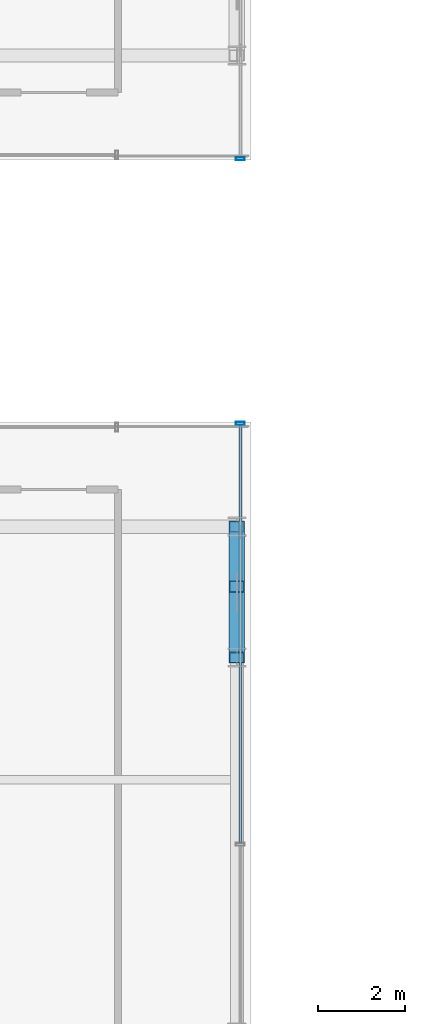
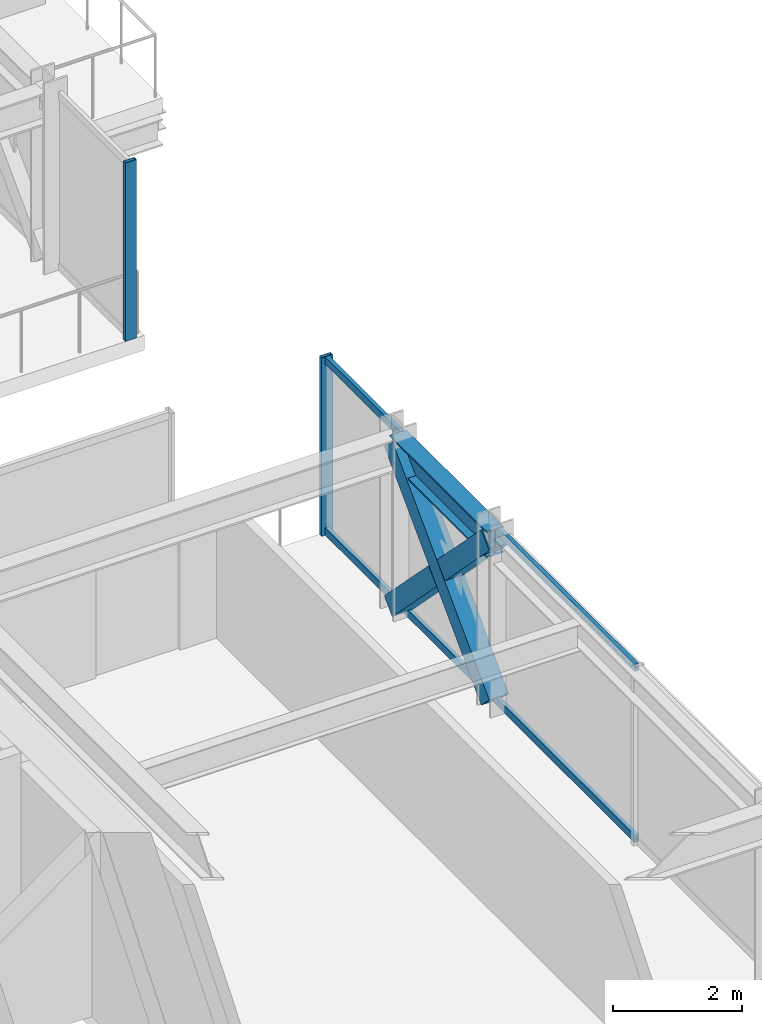
# One storey, part 17 of 35: 7 members, 1 beam, 2 elements without a shape of their own.
"""IFC4 building model written with IfcOpenShell, lengths in metres."""

from ifc_helpers import new_model, si_unit, direction, frame, origin, origin_2d, place, context, subcontext, project, spatial, hollow_rectangle, i_section, extrude, source, transform, mapped, material, material_profile, profile_set, type_object, element, aggregate, save


model = new_model("IFC4")

# Units and contexts
model_context = context("Model", 3, precision=1e-05, world=origin(), true_north=direction((0.0, 1.0)))
body_context = subcontext(model_context, "Body", "Model", "MODEL_VIEW")
ifc_project = project(units=[si_unit("LENGTHUNIT", "METRE"), si_unit("AREAUNIT", "SQUARE_METRE"), si_unit("VOLUMEUNIT", "CUBIC_METRE"), si_unit("PLANEANGLEUNIT", "RADIAN"), si_unit("MASSUNIT", "GRAM", prefix="KILO")], contexts=[model_context])

# Site, building, storey
site_placement = place(None, origin())
site = spatial("IfcSite", under=ifc_project, at=site_placement, CompositionType="ELEMENT")
building_placement = place(site_placement, origin())
building = spatial("IfcBuilding", under=site, at=building_placement, Name="Nahalor Promenade Grand Hotel", CompositionType="ELEMENT")
storey_placement = place(building_placement, frame((0.0, 0.0, 43.35009765625)))
storey = spatial("IfcBuildingStorey", under=building, at=storey_placement, Name="L09", CompositionType="ELEMENT", Elevation=43.35009765625)

# Beam
ifc_material_1 = material(Name="Steel S355JR", Category="steel")
ifc_material_profile_1 = material_profile(ifc_material_1, i_section(OverallWidth=0.3, OverallDepth=0.5, WebThickness=0.0145, FlangeThickness=0.028, at=origin_2d()), Name="HEB 500")
ifc_profile_set_1 = profile_set([ifc_material_profile_1], Name="Steel S355JR")
beam_type = type_object("IfcBeamType", Name="Beam-Spandrel-HEB500", PredefinedType="SPANDREL", material=ifc_profile_set_1)
shared_shape_1 = source(origin(), body_context, "Body", "SweptSolid", [
    extrude(i_section(OverallWidth=0.3, OverallDepth=0.5, WebThickness=0.0145, FlangeThickness=0.028, at=origin_2d()), origin(), (0.0, 0.0, 1.0), 3.0),
])
beam_placement = place(storey_placement, frame((25.080078125, -8.39990234375, 3.119873046875), z_axis=(0.0, 1.0, 0.0), x_axis=(-1.0, 0.0, 0.0)))
element("IfcBeam", 1, at=beam_placement, inside=storey, type_object=beam_type, Name="BM-L09-SP-E-1", PredefinedType="SPANDREL", context=body_context, shape_type="MappedRepresentation", body=[
    mapped(shared_shape_1, transform((0.0, 0.0, 0.0), scale=1.0)),
])

# Members
ifc_material_profile_2 = material_profile(ifc_material_1, hollow_rectangle(XDim=0.35, YDim=0.35, WallThickness=0.02, at=origin_2d()), Name="SHS 350x350x20")
ifc_profile_set_2 = profile_set([ifc_material_profile_2], Name="Steel S355JR")
member_type_1 = type_object("IfcMemberType", Name="Mem-VoidBrace-SHS350", PredefinedType="BRACE", material=ifc_profile_set_2)
shared_shape_2 = source(origin(), body_context, "Body", "SweptSolid", [
    extrude(hollow_rectangle(XDim=0.35, YDim=0.35, WallThickness=0.02, at=origin_2d()), origin(), (0.0, 0.0, 1.0), 4.29248046875),
])
member_1_placement = place(storey_placement, frame((25.080078125, -8.39990234375, 0.14990234375), z_axis=(0.0, 0.698897904453, 0.715221447631), x_axis=(-1.0, 0.0, 0.0)))
element("IfcMember", 2, at=member_1_placement, inside=storey, type_object=member_type_1, Name="EXO-L09-VX1-E0", PredefinedType="BRACE", context=body_context, shape_type="MappedRepresentation", body=[
    mapped(shared_shape_2, transform((0.0, 0.0, 0.0), scale=1.0)),
])
shared_shape_3 = source(origin(), body_context, "Body", "SweptSolid", [
    extrude(hollow_rectangle(XDim=0.35, YDim=0.35, WallThickness=0.02, at=origin_2d()), origin(), (0.0, 0.0, 1.0), 1.959228515625),
])
for number, where, z_axis, x_axis, name in (
    (3, (25.080078125, -5.39990234375, 0.14990234375), (0.0, -0.698960471031, 0.715160303663), (1.0, 0.0, 0.0), "EXO-L09-VX2-E0A"),
    (4, (25.080078125, -7.03076171875, 1.818603515625), (0.0, -0.698834435327, 0.715283462692), (1.0, 0.0, 0.0), "EXO-L09-VX2-E0B"),
):
    element("IfcMember", number, at=place(storey_placement, frame(where, z_axis=z_axis, x_axis=x_axis)), inside=storey, type_object=member_type_1, Name=name, PredefinedType="BRACE", context=body_context, shape_type="MappedRepresentation", body=[
        mapped(shared_shape_3, transform((0.0, 0.0, 0.0), scale=1.0)),
    ])

# Curtain wall, member
ifc_material_2 = material(Name="Anodised Bronze Aluminium EN AW-6063 T6", Category="aluminium")
curtain_wall_type = type_object("IfcCurtainWallType", Name="CW3 Elliptical-Void Collar Unitised Curtain Wall", PredefinedType="USERDEFINED", material=ifc_material_2)
curtain_wall_1_placement = place(storey_placement, origin())
curtain_wall_1 = element("IfcCurtainWall", 5, at=curtain_wall_1_placement, inside=storey, type_object=curtain_wall_type, Name="L09 Curtain Wall CW-L09-E-1", ObjectType="UNITISED_CURTAIN_WALL", PredefinedType="USERDEFINED")
ifc_material_profile_3 = material_profile(ifc_material_2, hollow_rectangle(XDim=0.07, YDim=0.2, WallThickness=0.005, at=origin_2d()), Name="CWM 70x200x5")
ifc_profile_set_3 = profile_set([ifc_material_profile_3], Name="Anodised Bronze Aluminium EN AW-6063 T6")
member_type_2 = type_object("IfcMemberType", Name="CWM3 Void Collar Mullion 70x200", PredefinedType="MULLION", material=ifc_profile_set_3)
shared_shape_4 = source(origin(), body_context, "Body", "SweptSolid", [
    extrude(hollow_rectangle(XDim=0.07, YDim=0.2, WallThickness=0.005, at=origin_2d()), origin(), (0.0, 0.0, 1.0), 3.369873046875),
])
member_2_placement = place(storey_placement, frame((25.159912109375, -3.033935546875, 0.0), z_axis=(0.0, 0.0, 1.0), x_axis=(0.0, 1.0, 0.0)))
member_2 = element("IfcMember", 6, at=member_2_placement, type_object=member_type_2, Name="CW-L09-E-1 Mullion 2", PredefinedType="MULLION", context=body_context, shape_type="MappedRepresentation", body=[
    mapped(shared_shape_4, transform((0.0, 0.0, 0.0), scale=1.0)),
])

curtain_wall_2_placement = place(storey_placement, origin())
curtain_wall_2 = element("IfcCurtainWall", 7, at=curtain_wall_2_placement, inside=storey, type_object=curtain_wall_type, Name="L09 Curtain Wall CW-L09-E-2", ObjectType="UNITISED_CURTAIN_WALL", PredefinedType="USERDEFINED")
member_3_placement = place(storey_placement, frame((25.159912109375, 3.033935546875, 0.0), z_axis=(0.0, 0.0, 1.0), x_axis=(0.0, 1.0, 0.0)))
member_3 = element("IfcMember", 8, at=member_3_placement, type_object=member_type_2, Name="CW-L09-E-2 Mullion 0", PredefinedType="MULLION", context=body_context, shape_type="MappedRepresentation", body=[
    mapped(shared_shape_4, transform((0.0, 0.0, 0.0), scale=1.0)),
])
aggregate(curtain_wall_2, [member_3])

# Member
ifc_material_profile_4 = material_profile(ifc_material_2, hollow_rectangle(XDim=0.07, YDim=0.14, WallThickness=0.004, at=origin_2d()), Name="CWT 70x140x4")
ifc_profile_set_4 = profile_set([ifc_material_profile_4], Name="Anodised Bronze Aluminium EN AW-6063 T6")
member_type_3 = type_object("IfcMemberType", Name="CWT3 Void Collar Transom 70x140", PredefinedType="USERDEFINED", material=ifc_profile_set_4)
shared_shape_5 = source(origin(), body_context, "Body", "SweptSolid", [
    extrude(hollow_rectangle(XDim=0.07, YDim=0.14, WallThickness=0.004, at=origin_2d()), origin(), (0.0, 0.0, 1.0), 9.575439453125),
])
member_4_placement = place(storey_placement, frame((25.159912109375, -12.64453125, 0.06982421875), z_axis=(0.0, 1.0, 0.0), x_axis=(-1.0, 0.0, 0.0)))
member_4 = element("IfcMember", 9, at=member_4_placement, type_object=member_type_3, Name="CW-L09-E-1 Transom 1-0", ObjectType="TRANSOM", PredefinedType="USERDEFINED", context=body_context, shape_type="MappedRepresentation", body=[
    mapped(shared_shape_5, transform((0.0, 0.0, 0.0), scale=1.0)),
])

member_5_placement = place(storey_placement, frame((25.159912109375, -12.64453125, 3.2998046875), z_axis=(0.0, 1.0, 0.0), x_axis=(-1.0, 0.0, 0.0)))
member_5 = element("IfcMember", 10, at=member_5_placement, type_object=member_type_3, Name="CW-L09-E-1 Transom 1-1", ObjectType="TRANSOM", PredefinedType="USERDEFINED", context=body_context, shape_type="MappedRepresentation", body=[
    mapped(shared_shape_5, transform((0.0, 0.0, 0.0), scale=1.0)),
])

aggregate(curtain_wall_1, [member_2, member_4, member_5])

save(model, "model.ifc")
